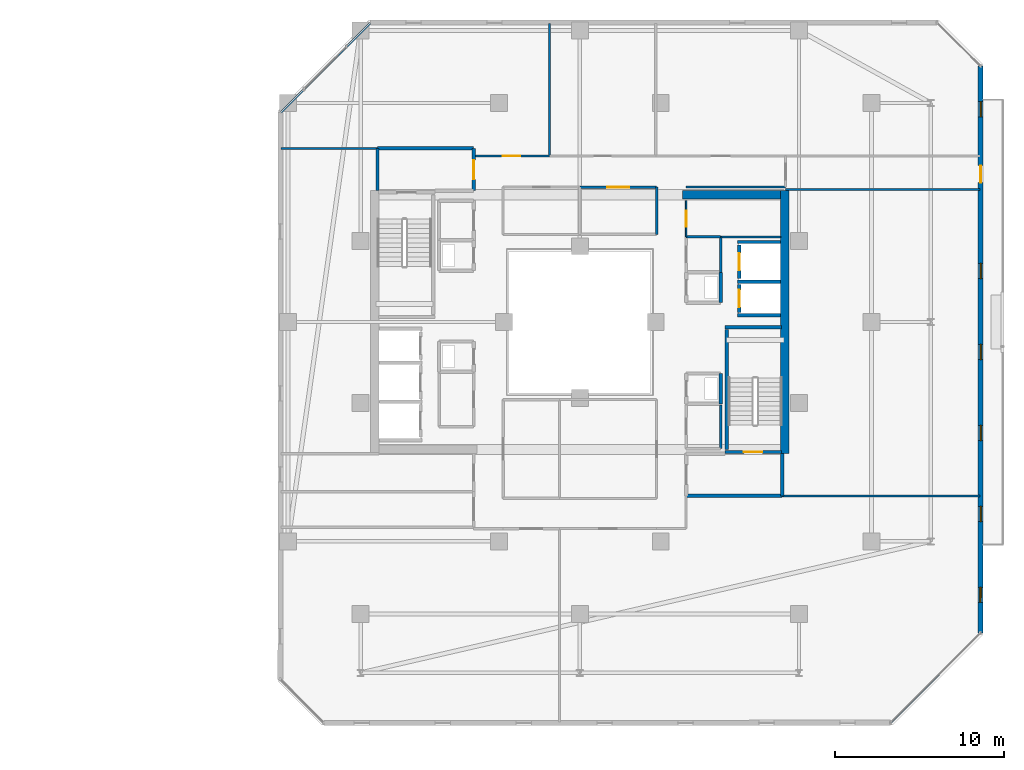
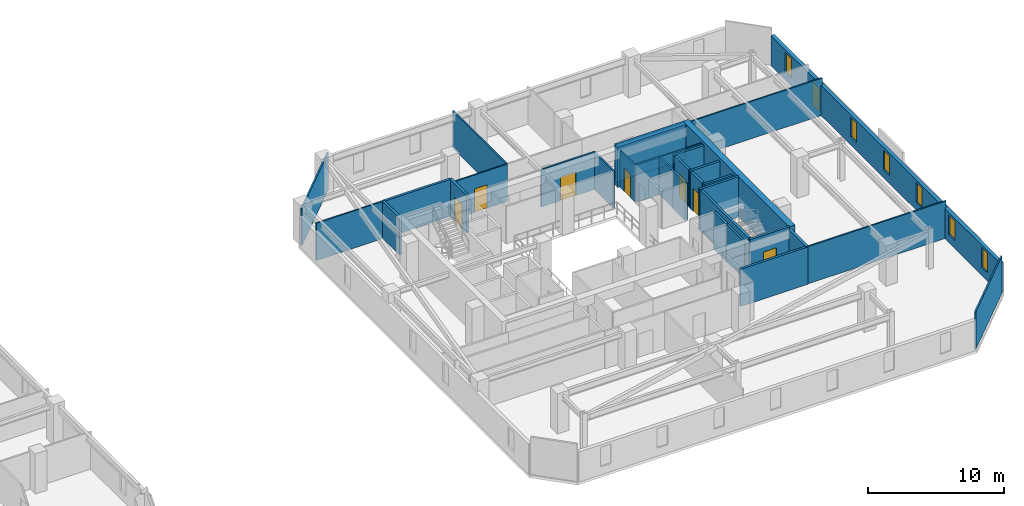
# One storey, part 24 of 32: 33 walls, 8 doors, 6 windows, 14 openings.
"""IFC4 building model written with IfcOpenShell, lengths in metres."""

from ifc_helpers import new_model, si_unit, direction, frame, frame_2d, origin, place, context, subcontext, project, spatial, rectangle, extrude, material, layer, layer_set, type_object, element, fill, save


model = new_model("IFC4")

# Units and contexts
model_context = context("Model", 3, precision=1e-05, world=origin(), true_north=direction((0.0, 1.0)))
body_context = subcontext(model_context, "Body", "Model", "MODEL_VIEW")
ifc_project = project(units=[si_unit("LENGTHUNIT", "METRE"), si_unit("AREAUNIT", "SQUARE_METRE"), si_unit("VOLUMEUNIT", "CUBIC_METRE"), si_unit("PLANEANGLEUNIT", "RADIAN"), si_unit("MASSUNIT", "GRAM", prefix="KILO")], contexts=[model_context])

# Site, building, storey
site_placement = place(None, origin())
site = spatial("IfcSite", under=ifc_project, at=site_placement, CompositionType="ELEMENT")
building_placement = place(site_placement, origin())
building = spatial("IfcBuilding", under=site, at=building_placement, Name="Thornwick Lancets Civic Towers", CompositionType="ELEMENT")
storey_placement = place(building_placement, frame((0.0, 0.0, 240.300048828125)))
storey = spatial("IfcBuildingStorey", under=building, at=storey_placement, Name="L64", CompositionType="ELEMENT", Elevation=240.300048828125)

# Wall, opening, door
ifc_material_1 = material(Name="Concrete blockwork C40/50", Category="masonry")
ifc_layer_1 = layer(ifc_material_1, 0.199951171875, Name="Concrete blockwork C40/50")
ifc_layer_set_1 = layer_set([ifc_layer_1], Name="Concrete blockwork C40/50")
wall_type_1 = type_object("IfcWallType", Name="WALL_COMP_200", PredefinedType="STANDARD", material=ifc_layer_set_1)
wall_1_placement = place(storey_placement, frame((97.949951171875, 29.219970703125, 0.0), z_axis=(0.0, 0.0, 1.0), x_axis=(0.0, -1.0, 0.0)))
wall_1 = element("IfcWall", 1, at=wall_1_placement, inside=storey, type_object=wall_type_1, Name="L64 Hoistway Front Wall FL-B1", PredefinedType="STANDARD", context=body_context, shape_type="SweptSolid", body=[
    extrude(rectangle(XDim=1.639892578125, YDim=0.199951171875, at=frame_2d((0.81982421875, 0.0))), origin(), (0.0, 0.0, 1.0), 3.33984375),
])
opening_1_placement = place(wall_1_placement, frame((0.31005859375, 0.0, 0.0)))
opening_1 = element("IfcOpeningElement", 2, at=opening_1_placement, cuts=wall_1, Name="Opening LD-FL-B1", PredefinedType="OPENING", context=body_context, shape_type="SweptSolid", body=[
    extrude(rectangle(XDim=1.02001953125, YDim=2.06005859375, at=frame_2d((0.510009765625, 1.030029296875))), frame((0.0, 0.10986328125, 0.0), z_axis=(0.0, -1.0, 0.0), x_axis=(1.0, 0.0, 0.0)), (0.0, 0.0, 1.0), 0.219970703125),
])
ifc_material_2 = material(Name="Brushed bronze stainless steel", Category="steel")
door_type_1 = type_object("IfcDoorType", Name="DOOR_LIFT_SLIDE", OperationType="SLIDING_TO_LEFT", PredefinedType="DOOR", material=ifc_material_2)
door_1_placement = place(opening_1_placement, origin())
door_1 = element("IfcDoor", 3, at=door_1_placement, inside=storey, type_object=door_type_1, Name="L64 Sliding Lift Landing Door LD-FL-B1", OperationType="SLIDING_TO_LEFT", OverallHeight=2.06005859375, OverallWidth=1.02001953125, PredefinedType="DOOR", context=body_context, shape_type="SweptSolid", body=[
    extrude(rectangle(XDim=1.02001953125, YDim=2.06005859375, at=frame_2d((0.510009765625, 1.030029296875))), frame((0.0, 0.02490234375, 0.0), z_axis=(0.0, -1.0, 0.0), x_axis=(1.0, 0.0, 0.0)), (0.0, 0.0, 1.0), 0.050048828125),
])
fill(opening_1, door_1)

wall_2_placement = place(storey_placement, frame((97.949951171875, 31.570068359375, 0.0), z_axis=(0.0, 0.0, 1.0), x_axis=(0.0, -1.0, 0.0)))
wall_2 = element("IfcWall", 4, at=wall_2_placement, inside=storey, type_object=wall_type_1, Name="L64 Hoistway Front Wall PL-BH1", PredefinedType="STANDARD", context=body_context, shape_type="SweptSolid", body=[
    extrude(rectangle(XDim=1.989990234375, YDim=0.199951171875, at=frame_2d((0.9951171875, 0.0))), origin(), (0.0, 0.0, 1.0), 3.33984375),
])
opening_2_placement = place(wall_2_placement, frame((0.485107421875, 0.0, 0.0)))
opening_2 = element("IfcOpeningElement", 5, at=opening_2_placement, cuts=wall_2, Name="Opening LD-PL-BH1", PredefinedType="OPENING", context=body_context, shape_type="SweptSolid", body=[
    extrude(rectangle(XDim=1.02001953125, YDim=2.06005859375, at=frame_2d((0.510009765625, 1.030029296875))), frame((0.0, 0.10986328125, 0.0), z_axis=(0.0, -1.0, 0.0), x_axis=(1.0, 0.0, 0.0)), (0.0, 0.0, 1.0), 0.219970703125),
])
door_2_placement = place(opening_2_placement, origin())
door_2 = element("IfcDoor", 6, at=door_2_placement, inside=storey, type_object=door_type_1, Name="L64 Sliding Lift Landing Door LD-PL-BH1", OperationType="SLIDING_TO_LEFT", OverallHeight=2.06005859375, OverallWidth=1.02001953125, PredefinedType="DOOR", context=body_context, shape_type="SweptSolid", body=[
    extrude(rectangle(XDim=1.02001953125, YDim=2.06005859375, at=frame_2d((0.510009765625, 1.030029296875))), frame((0.0, 0.02490234375, 0.0), z_axis=(0.0, -1.0, 0.0), x_axis=(1.0, 0.0, 0.0)), (0.0, 0.0, 1.0), 0.050048828125),
])
fill(opening_2, door_2)

# Walls
for number, where, z_axis, x_axis, name in (
    (7, (97.85205078125, 29.39990234375, 0.0), (0.0, 0.0, 1.0), (1.0, 0.0, 0.0), "L64 Hoistway Shaft Wall FL-B1 N"),
    (8, (97.85205078125, 27.39990234375, 0.0), (0.0, 0.0, 1.0), (1.0, 0.0, 0.0), "L64 Hoistway Shaft Wall FL-B1 S"),
    (9, (97.85205078125, 31.75, 0.0), (0.0, 0.0, 1.0), (1.0, 0.0, 0.0), "L64 Hoistway Shaft Wall PL-BH1 N"),
):
    element("IfcWall", number, at=place(storey_placement, frame(where, z_axis=z_axis, x_axis=x_axis)), inside=storey, type_object=wall_type_1, Name=name, PredefinedType="STANDARD", context=body_context, shape_type="SweptSolid", body=[
        extrude(rectangle(XDim=2.535888671875, YDim=0.199951171875, at=frame_2d((1.26806640625, 0.0))), origin(), (0.0, 0.0, 1.0), 3.33984375),
    ])
wall_3_placement = place(storey_placement, frame((94.800048828125, 16.699951171875, 0.0), z_axis=(0.0, 0.0, 1.0), x_axis=(1.0, 0.0, 0.0)))
element("IfcWall", 10, at=wall_3_placement, inside=storey, type_object=wall_type_1, Name="L64 Partition L64-B-FFLOB1 E1", PredefinedType="STANDARD", context=body_context, shape_type="SweptSolid", body=[
    extrude(rectangle(XDim=5.699951171875, YDim=0.199951171875, at=frame_2d((2.85009765625, 0.0))), origin(), (0.0, 0.0, 1.0), 3.33984375),
])
wall_4_placement = place(storey_placement, frame((100.5, 16.699951171875, 0.0), z_axis=(0.0, 0.0, 1.0), x_axis=(0.0, 1.0, 0.0)))
element("IfcWall", 11, at=wall_4_placement, inside=storey, type_object=wall_type_1, Name="L64 Partition L64-B-FFLOB1 E2", PredefinedType="STANDARD", context=body_context, shape_type="SweptSolid", body=[
    extrude(rectangle(XDim=2.5, YDim=0.199951171875, at=frame_2d((1.25, 0.0))), origin(), (0.0, 0.0, 1.0), 3.33984375),
])

# Wall, opening, door
wall_5_placement = place(storey_placement, frame((82.199951171875, 34.800048828125, 0.0), z_axis=(0.0, 0.0, 1.0), x_axis=(0.0, 1.0, 0.0)))
wall_5 = element("IfcWall", 12, at=wall_5_placement, inside=storey, type_object=wall_type_1, Name="L64 Partition L64-B-FFLOB2 E2", PredefinedType="STANDARD", context=body_context, shape_type="SweptSolid", body=[
    extrude(rectangle(XDim=2.5, YDim=0.199951171875, at=frame_2d((1.25, 0.0))), origin(), (0.0, 0.0, 1.0), 3.33984375),
])
opening_3_placement = place(wall_5_placement, frame((0.659912109375, 0.0, 0.0)))
opening_3 = element("IfcOpeningElement", 13, at=opening_3_placement, cuts=wall_5, Name="Opening D-L64-2885", PredefinedType="OPENING", context=body_context, shape_type="SweptSolid", body=[
    extrude(rectangle(XDim=1.14990234375, YDim=2.10009765625, at=frame_2d((0.574951171875, 1.050048828125))), frame((0.0, 0.10986328125, 0.0), z_axis=(0.0, -1.0, 0.0), x_axis=(1.0, 0.0, 0.0)), (0.0, 0.0, 1.0), 0.219970703125),
])
ifc_material_3 = material(Name="Glazed fire-resisting steel", Category="steel")
door_type_2 = type_object("IfcDoorType", Name="DOOR_LOBBY_FD60", OperationType="NOTDEFINED", PredefinedType="DOOR", material=ifc_material_3)
door_3_placement = place(opening_3_placement, origin())
door_3 = element("IfcDoor", 14, at=door_3_placement, inside=storey, type_object=door_type_2, Name="L64 West Firefighting Lobby 2 Door", OperationType="SINGLE_SWING_RIGHT", OverallHeight=2.10009765625, OverallWidth=1.14990234375, PredefinedType="DOOR", context=body_context, shape_type="SweptSolid", body=[
    extrude(rectangle(XDim=1.14990234375, YDim=2.10009765625, at=frame_2d((0.574951171875, 1.050048828125))), frame((0.0, 0.02490234375, 0.0), z_axis=(0.0, -1.0, 0.0), x_axis=(1.0, 0.0, 0.0)), (0.0, 0.0, 1.0), 0.050048828125),
])
fill(opening_3, door_3)

# Walls
wall_6_placement = place(storey_placement, frame((82.199951171875, 37.300048828125, 0.0), z_axis=(0.0, 0.0, 1.0), x_axis=(-1.0, 0.0, 0.0)))
element("IfcWall", 15, at=wall_6_placement, inside=storey, type_object=wall_type_1, Name="L64 Partition L64-B-FFLOB2 E3", PredefinedType="STANDARD", context=body_context, shape_type="SweptSolid", body=[
    extrude(rectangle(XDim=5.699951171875, YDim=0.199951171875, at=frame_2d((2.85009765625, 0.0))), origin(), (0.0, 0.0, 1.0), 3.33984375),
])
wall_7_placement = place(storey_placement, frame((76.5, 37.300048828125, 0.0), z_axis=(0.0, 0.0, 1.0), x_axis=(0.0, -1.0, 0.0)))
element("IfcWall", 16, at=wall_7_placement, inside=storey, type_object=wall_type_1, Name="L64 Partition L64-B-FFLOB2 E4", PredefinedType="STANDARD", context=body_context, shape_type="SweptSolid", body=[
    extrude(rectangle(XDim=2.5, YDim=0.199951171875, at=frame_2d((1.25, 0.0))), origin(), (0.0, 0.0, 1.0), 3.33984375),
])
for number, where, z_axis, x_axis, name in (
    (17, (96.85009765625, 28.14990234375, 0.0), (0.0, 0.0, 1.0), (0.0, 1.0, 0.0), "L64 Partition L64-B-DUCT1 E2"),
    (18, (96.85009765625, 22.14990234375, 0.0), (0.0, 0.0, 1.0), (0.0, 1.0, 0.0), "L64 Partition L64-B-RISER1 E2"),
):
    element("IfcWall", number, at=place(storey_placement, frame(where, z_axis=z_axis, x_axis=x_axis)), inside=storey, type_object=wall_type_1, Name=name, PredefinedType="STANDARD", context=body_context, shape_type="SweptSolid", body=[
        extrude(rectangle(XDim=1.800048828125, YDim=0.199951171875, at=frame_2d((0.89990234375, 0.0))), origin(), (0.0, 0.0, 1.0), 3.33984375),
    ])
ifc_material_4 = material(Name="Concrete C50/60", Category="concrete")
ifc_layer_2 = layer(ifc_material_4, 0.5, Name="Concrete C50/60")
ifc_layer_set_2 = layer_set([ifc_layer_2], Name="Concrete C50/60")
wall_type_2 = type_object("IfcWallType", Name="WALL_CORE_500", PredefinedType="SHEAR", material=ifc_layer_set_2)
wall_8_placement = place(storey_placement, frame((100.64990234375, 19.199951171875, 0.0), z_axis=(0.0, 0.0, 1.0), x_axis=(0.0, 1.0, 0.0)))
element("IfcWall", 19, at=wall_8_placement, inside=storey, type_object=wall_type_2, Name="L64 Split Core B1 Shear Wall E", PredefinedType="SHEAR", context=body_context, shape_type="SweptSolid", body=[
    extrude(rectangle(XDim=15.60009765625, YDim=0.5, at=frame_2d((7.800048828125, 0.0))), origin(), (0.0, 0.0, 1.0), 3.599853515625),
])
wall_9_placement = place(storey_placement, frame((94.60009765625, 34.550048828125, 0.0), z_axis=(0.0, 0.0, 1.0), x_axis=(1.0, 0.0, 0.0)))
element("IfcWall", 20, at=wall_9_placement, inside=storey, type_object=wall_type_2, Name="L64 Split Core B1 Shear Wall N", PredefinedType="SHEAR", context=body_context, shape_type="SweptSolid", body=[
    extrude(rectangle(XDim=5.7998046875, YDim=0.5, at=frame_2d((2.89990234375, 0.0))), origin(), (0.0, 0.0, 1.0), 3.599853515625),
])

# Wall, openings, door, windows
ifc_material_5 = material(Name="Insulated russet terracotta rainscreen on concrete C40/50", Category="masonry")
ifc_layer_3 = layer(ifc_material_5, 0.300048828125, Name="Insulated russet terracotta rainscreen on concrete C40/50")
ifc_layer_set_3 = layer_set([ifc_layer_3], Name="Insulated russet terracotta rainscreen on concrete C40/50")
wall_type_3 = type_object("IfcWallType", Name="WALL_EXT_RUSSET_300", PredefinedType="STANDARD", material=ifc_layer_set_3)
wall_10_placement = place(storey_placement, frame((112.255615234375, 8.576416015625, 0.0), z_axis=(0.0, 0.0, 1.0), x_axis=(0.000268805477, 0.999999963872, 0.0)))
wall_10 = element("IfcWall", 21, at=wall_10_placement, inside=storey, type_object=wall_type_3, Name="L64 Tower B Terracotta Facade Wall E2", PredefinedType="STANDARD", context=body_context, shape_type="SweptSolid", body=[
    extrude(rectangle(XDim=33.60498046875, YDim=0.300048828125, at=frame_2d((16.802490234375, 0.0))), origin(), (0.0, 0.0, 1.0), 2.699951171875),
])
opening_4_placement = place(wall_10_placement, frame((26.702392578125, 0.0, 0.0)))
opening_4 = element("IfcOpeningElement", 22, at=opening_4_placement, cuts=wall_10, Name="Opening D-BL-L64-BE", PredefinedType="OPENING", context=body_context, shape_type="SweptSolid", body=[
    extrude(rectangle(XDim=1.0, YDim=2.080078125, at=frame_2d((0.5, 1.0400390625))), frame((0.0, 0.16015625, 0.0), z_axis=(0.0, -1.0, 0.0), x_axis=(1.0, 0.0, 0.0)), (0.0, 0.0, 1.0), 0.320068359375),
])
opening_5_placement = place(wall_10_placement, frame((1.800048828125, 0.0, 0.719970703125)))
opening_5 = element("IfcOpeningElement", 23, at=opening_5_placement, cuts=wall_10, Name="Opening WL-01", PredefinedType="OPENING", context=body_context, shape_type="SweptSolid", body=[
    extrude(rectangle(XDim=0.89990234375, YDim=1.75, at=frame_2d((0.449951171875, 0.875))), frame((0.0, 0.16015625, 0.0), z_axis=(0.0, -1.0, 0.0), x_axis=(1.0, 0.0, 0.0)), (0.0, 0.0, 1.0), 0.320068359375),
])
opening_6_placement = place(wall_10_placement, frame((6.60009765625, 0.0, 0.719970703125)))
opening_6 = element("IfcOpeningElement", 24, at=opening_6_placement, cuts=wall_10, Name="Opening WL-01", PredefinedType="OPENING", context=body_context, shape_type="SweptSolid", body=[
    extrude(rectangle(XDim=0.89990234375, YDim=1.75, at=frame_2d((0.449951171875, 0.875))), frame((0.0, 0.16015625, 0.0), z_axis=(0.0, -1.0, 0.0), x_axis=(1.0, 0.0, 0.0)), (0.0, 0.0, 1.0), 0.320068359375),
])
opening_7_placement = place(wall_10_placement, frame((11.39990234375, 0.0, 0.719970703125)))
opening_7 = element("IfcOpeningElement", 25, at=opening_7_placement, cuts=wall_10, Name="Opening WL-01", PredefinedType="OPENING", context=body_context, shape_type="SweptSolid", body=[
    extrude(rectangle(XDim=0.89990234375, YDim=1.75, at=frame_2d((0.449951171875, 0.875))), frame((0.0, 0.16015625, 0.0), z_axis=(0.0, -1.0, 0.0), x_axis=(1.0, 0.0, 0.0)), (0.0, 0.0, 1.0), 0.320068359375),
])
opening_8_placement = place(wall_10_placement, frame((16.199951171875, 0.0, 0.719970703125)))
opening_8 = element("IfcOpeningElement", 26, at=opening_8_placement, cuts=wall_10, Name="Opening WL-01", PredefinedType="OPENING", context=body_context, shape_type="SweptSolid", body=[
    extrude(rectangle(XDim=0.89990234375, YDim=1.75, at=frame_2d((0.449951171875, 0.875))), frame((0.0, 0.16015625, 0.0), z_axis=(0.0, -1.0, 0.0), x_axis=(1.0, 0.0, 0.0)), (0.0, 0.0, 1.0), 0.320068359375),
])
opening_9_placement = place(wall_10_placement, frame((21.0, 0.0, 0.719970703125)))
opening_9 = element("IfcOpeningElement", 27, at=opening_9_placement, cuts=wall_10, Name="Opening WL-01", PredefinedType="OPENING", context=body_context, shape_type="SweptSolid", body=[
    extrude(rectangle(XDim=0.89990234375, YDim=1.75, at=frame_2d((0.449951171875, 0.875))), frame((0.0, 0.16015625, 0.0), z_axis=(0.0, -1.0, 0.0), x_axis=(1.0, 0.0, 0.0)), (0.0, 0.0, 1.0), 0.320068359375),
])
opening_10_placement = place(wall_10_placement, frame((30.60009765625, 0.0, 0.719970703125)))
opening_10 = element("IfcOpeningElement", 28, at=opening_10_placement, cuts=wall_10, Name="Opening WL-01", PredefinedType="OPENING", context=body_context, shape_type="SweptSolid", body=[
    extrude(rectangle(XDim=0.89990234375, YDim=1.75, at=frame_2d((0.449951171875, 0.875))), frame((0.0, 0.16015625, 0.0), z_axis=(0.0, -1.0, 0.0), x_axis=(1.0, 0.0, 0.0)), (0.0, 0.0, 1.0), 0.320068359375),
])
ifc_material_6 = material(Name="Thermally broken glazed loggia doorset")
door_type_3 = type_object("IfcDoorType", Name="DOOR_BALC_1000", OperationType="NOTDEFINED", PredefinedType="DOOR", material=ifc_material_6)
door_4_placement = place(opening_4_placement, origin())
door_4 = element("IfcDoor", 29, at=door_4_placement, inside=storey, type_object=door_type_3, Name="L64 Tower B Loggia Balcony Door E", OperationType="SINGLE_SWING_LEFT", OverallHeight=2.080078125, OverallWidth=1.0, PredefinedType="DOOR", context=body_context, shape_type="SweptSolid", body=[
    extrude(rectangle(XDim=1.0, YDim=2.080078125, at=frame_2d((0.5, 1.0400390625))), frame((0.0, 0.02490234375, 0.0), z_axis=(0.0, -1.0, 0.0), x_axis=(1.0, 0.0, 0.0)), (0.0, 0.0, 1.0), 0.050048828125),
])
fill(opening_4, door_4)
ifc_material_7 = material(Name="Clear low-e double glazing in bronze frame", Category="glass")
window_type = type_object("IfcWindowType", Name="WIN_LANCET_900", PartitioningType="SINGLE_PANEL", PredefinedType="WINDOW", material=ifc_material_7)
window_1_placement = place(opening_5_placement, origin())
window_1 = element("IfcWindow", 30, at=window_1_placement, inside=storey, type_object=window_type, Name="L64 Tower B Staggered Lancet Window E2-1", OverallHeight=1.75, OverallWidth=0.89990234375, PartitioningType="SINGLE_PANEL", PredefinedType="WINDOW", context=body_context, shape_type="SweptSolid", body=[
    extrude(rectangle(XDim=0.89990234375, YDim=1.75, at=frame_2d((0.449951171875, 0.875))), frame((0.0, 0.030029296875, 0.0), z_axis=(0.0, -1.0, 0.0), x_axis=(1.0, 0.0, 0.0)), (0.0, 0.0, 1.0), 0.06005859375),
])
fill(opening_5, window_1)
window_2_placement = place(opening_6_placement, origin())
window_2 = element("IfcWindow", 31, at=window_2_placement, inside=storey, type_object=window_type, Name="L64 Tower B Staggered Lancet Window E2-2", OverallHeight=1.75, OverallWidth=0.89990234375, PartitioningType="SINGLE_PANEL", PredefinedType="WINDOW", context=body_context, shape_type="SweptSolid", body=[
    extrude(rectangle(XDim=0.89990234375, YDim=1.75, at=frame_2d((0.449951171875, 0.875))), frame((0.0, 0.030029296875, 0.0), z_axis=(0.0, -1.0, 0.0), x_axis=(1.0, 0.0, 0.0)), (0.0, 0.0, 1.0), 0.06005859375),
])
fill(opening_6, window_2)
window_3_placement = place(opening_7_placement, origin())
window_3 = element("IfcWindow", 32, at=window_3_placement, inside=storey, type_object=window_type, Name="L64 Tower B Staggered Lancet Window E2-3", OverallHeight=1.75, OverallWidth=0.89990234375, PartitioningType="SINGLE_PANEL", PredefinedType="WINDOW", context=body_context, shape_type="SweptSolid", body=[
    extrude(rectangle(XDim=0.89990234375, YDim=1.75, at=frame_2d((0.449951171875, 0.875))), frame((0.0, 0.030029296875, 0.0), z_axis=(0.0, -1.0, 0.0), x_axis=(1.0, 0.0, 0.0)), (0.0, 0.0, 1.0), 0.06005859375),
])
fill(opening_7, window_3)
window_4_placement = place(opening_8_placement, origin())
window_4 = element("IfcWindow", 33, at=window_4_placement, inside=storey, type_object=window_type, Name="L64 Tower B Staggered Lancet Window E2-4", OverallHeight=1.75, OverallWidth=0.89990234375, PartitioningType="SINGLE_PANEL", PredefinedType="WINDOW", context=body_context, shape_type="SweptSolid", body=[
    extrude(rectangle(XDim=0.89990234375, YDim=1.75, at=frame_2d((0.449951171875, 0.875))), frame((0.0, 0.030029296875, 0.0), z_axis=(0.0, -1.0, 0.0), x_axis=(1.0, 0.0, 0.0)), (0.0, 0.0, 1.0), 0.06005859375),
])
fill(opening_8, window_4)
window_5_placement = place(opening_9_placement, origin())
window_5 = element("IfcWindow", 34, at=window_5_placement, inside=storey, type_object=window_type, Name="L64 Tower B Staggered Lancet Window E2-5", OverallHeight=1.75, OverallWidth=0.89990234375, PartitioningType="SINGLE_PANEL", PredefinedType="WINDOW", context=body_context, shape_type="SweptSolid", body=[
    extrude(rectangle(XDim=0.89990234375, YDim=1.75, at=frame_2d((0.449951171875, 0.875))), frame((0.0, 0.030029296875, 0.0), z_axis=(0.0, -1.0, 0.0), x_axis=(1.0, 0.0, 0.0)), (0.0, 0.0, 1.0), 0.06005859375),
])
fill(opening_9, window_5)
window_6_placement = place(opening_10_placement, origin())
window_6 = element("IfcWindow", 35, at=window_6_placement, inside=storey, type_object=window_type, Name="L64 Tower B Staggered Lancet Window E2-6", OverallHeight=1.75, OverallWidth=0.89990234375, PartitioningType="SINGLE_PANEL", PredefinedType="WINDOW", context=body_context, shape_type="SweptSolid", body=[
    extrude(rectangle(XDim=0.89990234375, YDim=1.75, at=frame_2d((0.449951171875, 0.875))), frame((0.0, 0.030029296875, 0.0), z_axis=(0.0, -1.0, 0.0), x_axis=(1.0, 0.0, 0.0)), (0.0, 0.0, 1.0), 0.06005859375),
])
fill(opening_10, window_6)

# Wall, opening, door
ifc_material_8 = material(Name="Lightweight cellular office partition")
ifc_layer_4 = layer(ifc_material_8, 0.10009765625, Name="Lightweight cellular office partition")
ifc_layer_set_4 = layer_set([ifc_layer_4], Name="Lightweight cellular office partition")
wall_type_4 = type_object("IfcWallType", Name="WALL_PART_100", PredefinedType="PARTITIONING", material=ifc_layer_set_4)
wall_11_placement = place(storey_placement, frame((94.800048828125, 32.050048828125, 0.0), z_axis=(0.0, 0.0, 1.0), x_axis=(0.0, 1.0, 0.0)))
wall_11 = element("IfcWall", 36, at=wall_11_placement, inside=storey, type_object=wall_type_4, Name="L64 Partition L64-B-CLN E1", PredefinedType="PARTITIONING", context=body_context, shape_type="SweptSolid", body=[
    extrude(rectangle(XDim=2.14990234375, YDim=0.10009765625, at=frame_2d((1.074951171875, 0.0))), origin(), (0.0, 0.0, 1.0), 3.33984375),
])
opening_11_placement = place(wall_11_placement, frame((0.60009765625, 0.0, 0.0)))
opening_11 = element("IfcOpeningElement", 37, at=opening_11_placement, cuts=wall_11, Name="Opening D-L64-2892", PredefinedType="OPENING", context=body_context, shape_type="SweptSolid", body=[
    extrude(rectangle(XDim=0.949951171875, YDim=2.10009765625, at=frame_2d((0.47509765625, 1.050048828125))), frame((0.0, 0.06005859375, 0.0), z_axis=(0.0, -1.0, 0.0), x_axis=(1.0, 0.0, 0.0)), (0.0, 0.0, 1.0), 0.1201171875),
])
ifc_material_9 = material(Name="European oak acoustic doorset")
door_type_4 = type_object("IfcDoorType", Name="DOOR_OFFICE_950", OperationType="NOTDEFINED", PredefinedType="DOOR", material=ifc_material_9)
door_5_placement = place(opening_11_placement, origin())
door_5 = element("IfcDoor", 38, at=door_5_placement, inside=storey, type_object=door_type_4, Name="L64 Tower B Cleaners Store Door", OperationType="SINGLE_SWING_LEFT", OverallHeight=2.10009765625, OverallWidth=0.949951171875, PredefinedType="DOOR", context=body_context, shape_type="SweptSolid", body=[
    extrude(rectangle(XDim=0.949951171875, YDim=2.10009765625, at=frame_2d((0.47509765625, 1.050048828125))), frame((0.0, 0.02490234375, 0.0), z_axis=(0.0, -1.0, 0.0), x_axis=(1.0, 0.0, 0.0)), (0.0, 0.0, 1.0), 0.050048828125),
])
fill(opening_11, door_5)

# Walls
wall_12_placement = place(storey_placement, frame((100.39990234375, 32.050048828125, 0.0), z_axis=(0.0, 0.0, 1.0), x_axis=(-1.0, 0.0, 0.0)))
element("IfcWall", 39, at=wall_12_placement, inside=storey, type_object=wall_type_4, Name="L64 Partition L64-B-CLN E4", PredefinedType="PARTITIONING", context=body_context, shape_type="SweptSolid", body=[
    extrude(rectangle(XDim=3.5498046875, YDim=0.10009765625, at=frame_2d((1.77490234375, 0.0))), origin(), (0.0, 0.0, 1.0), 3.33984375),
])
ifc_material_10 = material(Name="Acoustic gypsum board partition")
ifc_layer_5 = layer(ifc_material_10, 0.1201171875, Name="Acoustic gypsum board partition")
ifc_layer_set_5 = layer_set([ifc_layer_5], Name="Acoustic gypsum board partition")
wall_type_5 = type_object("IfcWallType", Name="WALL_PART_120", PredefinedType="PARTITIONING", material=ifc_layer_set_5)
wall_13_placement = place(storey_placement, frame((94.800048828125, 35.0, 0.0), z_axis=(0.0, 0.0, 1.0), x_axis=(1.0, 0.0, 0.0)))
element("IfcWall", 40, at=wall_13_placement, inside=storey, type_object=wall_type_5, Name="L64 Partition L64-B-RECLAIM-L E2", PredefinedType="PARTITIONING", context=body_context, shape_type="SweptSolid", body=[
    extrude(rectangle(XDim=5.89990234375, YDim=0.1201171875, at=frame_2d((2.949951171875, 0.0))), origin(), (0.0, 0.0, 1.0), 3.33984375),
])
wall_14_placement = place(storey_placement, frame((112.219970703125, 34.85009765625, 0.0), z_axis=(0.0, 0.0, 1.0), x_axis=(-1.0, 0.0, 0.0)))
element("IfcWall", 41, at=wall_14_placement, inside=storey, type_object=wall_type_5, Name="L64 Partition L64-B-RECLAIM-L E6", PredefinedType="PARTITIONING", context=body_context, shape_type="SweptSolid", body=[
    extrude(rectangle(XDim=11.52001953125, YDim=0.1201171875, at=frame_2d((5.760009765625, 0.0))), origin(), (0.0, 0.0, 1.0), 3.33984375),
])
wall_15_placement = place(storey_placement, frame((100.5, 16.699951171875, 0.0), z_axis=(0.0, 0.0, 1.0), x_axis=(1.0, 0.0, 0.0)))
element("IfcWall", 42, at=wall_15_placement, inside=storey, type_object=wall_type_5, Name="L64 Partition L64-B-W1 E7", PredefinedType="PARTITIONING", context=body_context, shape_type="SweptSolid", body=[
    extrude(rectangle(XDim=11.719970703125, YDim=0.1201171875, at=frame_2d((5.85986328125, 0.0))), origin(), (0.0, 0.0, 1.0), 3.33984375),
])
wall_16_placement = place(storey_placement, frame((112.219970703125, 8.543701171875, 0.0), z_axis=(0.0, 0.0, 1.0), x_axis=(-0.707106781187, -0.707106781187, 0.0)))
element("IfcWall", 43, at=wall_16_placement, inside=storey, type_object=wall_type_5, Name="L64 Partition L64-B-W1 E9", PredefinedType="PARTITIONING", context=body_context, shape_type="SweptSolid", body=[
    extrude(rectangle(XDim=7.44384765625, YDim=0.1201171875, at=frame_2d((3.721923828125, 0.0))), origin(), (0.0, 0.0, 1.0), 3.33984375),
])
wall_17_placement = place(storey_placement, frame((86.699951171875, 36.85009765625, 0.0), z_axis=(0.0, 0.0, 1.0), x_axis=(0.0, 1.0, 0.0)))
element("IfcWall", 44, at=wall_17_placement, inside=storey, type_object=wall_type_5, Name="L64 Partition L64-B-E2 E1", PredefinedType="PARTITIONING", context=body_context, shape_type="SweptSolid", body=[
    extrude(rectangle(XDim=7.869873046875, YDim=0.1201171875, at=frame_2d((3.93505859375, 0.0))), origin(), (0.0, 0.0, 1.0), 3.33984375),
])
wall_18_placement = place(storey_placement, frame((76.5, 37.300048828125, 0.0), z_axis=(0.0, 0.0, 1.0), x_axis=(-1.0, 0.0, 0.0)))
element("IfcWall", 45, at=wall_18_placement, inside=storey, type_object=wall_type_5, Name="L64 Partition L64-B-E3 E3", PredefinedType="PARTITIONING", context=body_context, shape_type="SweptSolid", body=[
    extrude(rectangle(XDim=5.719970703125, YDim=0.1201171875, at=frame_2d((2.85986328125, 0.0))), origin(), (0.0, 0.0, 1.0), 3.33984375),
])
wall_19_placement = place(storey_placement, frame((70.780029296875, 39.456298828125, 0.0), z_axis=(0.0, 0.0, 1.0), x_axis=(0.707106781187, 0.707106781187, 0.0)))
element("IfcWall", 46, at=wall_19_placement, inside=storey, type_object=wall_type_5, Name="L64 Partition L64-B-E3 E5", PredefinedType="PARTITIONING", context=body_context, shape_type="SweptSolid", body=[
    extrude(rectangle(XDim=7.44384765625, YDim=0.1201171875, at=frame_2d((3.721923828125, 0.0))), origin(), (0.0, 0.0, 1.0), 3.33984375),
])

# Wall, opening, door
wall_20_placement = place(storey_placement, frame((86.699951171875, 36.85009765625, 0.0), z_axis=(0.0, 0.0, 1.0), x_axis=(-1.0, 0.0, 0.0)))
wall_20 = element("IfcWall", 47, at=wall_20_placement, inside=storey, type_object=wall_type_5, Name="L64 Partition L64-B-E3 E8", PredefinedType="PARTITIONING", context=body_context, shape_type="SweptSolid", body=[
    extrude(rectangle(XDim=4.5, YDim=0.1201171875, at=frame_2d((2.25, 0.0))), origin(), (0.0, 0.0, 1.0), 3.33984375),
])
opening_12_placement = place(wall_20_placement, frame((1.72509765625, 0.0, 0.0)))
opening_12 = element("IfcOpeningElement", 48, at=opening_12_placement, cuts=wall_20, Name="Opening D-L64-2916", PredefinedType="OPENING", context=body_context, shape_type="SweptSolid", body=[
    extrude(rectangle(XDim=1.050048828125, YDim=2.10009765625, at=frame_2d((0.52490234375, 1.050048828125))), frame((0.0, 0.070068359375, 0.0), z_axis=(0.0, -1.0, 0.0), x_axis=(1.0, 0.0, 0.0)), (0.0, 0.0, 1.0), 0.14013671875),
])
ifc_material_11 = material(Name="Glazed European oak executive doorset")
door_type_5 = type_object("IfcDoorType", Name="DOOR_OFFICE_1050", OperationType="NOTDEFINED", PredefinedType="DOOR", material=ifc_material_11)
door_6_placement = place(opening_12_placement, origin())
door_6 = element("IfcDoor", 49, at=door_6_placement, inside=storey, type_object=door_type_5, Name="L64 Tower B Civic Seminar Room Door", OperationType="SINGLE_SWING_LEFT", OverallHeight=2.10009765625, OverallWidth=1.050048828125, PredefinedType="DOOR", context=body_context, shape_type="SweptSolid", body=[
    extrude(rectangle(XDim=1.050048828125, YDim=2.10009765625, at=frame_2d((0.52490234375, 1.050048828125))), frame((0.0, 0.02490234375, 0.0), z_axis=(0.0, -1.0, 0.0), x_axis=(1.0, 0.0, 0.0)), (0.0, 0.0, 1.0), 0.050048828125),
])
fill(opening_12, door_6)

# Walls
ifc_material_12 = material(Name="Twin-stud acoustic gypsum board")
ifc_layer_6 = layer(ifc_material_12, 0.14990234375, Name="Twin-stud acoustic gypsum board")
ifc_layer_set_6 = layer_set([ifc_layer_6], Name="Twin-stud acoustic gypsum board")
wall_type_6 = type_object("IfcWallType", Name="WALL_PART_150", PredefinedType="PARTITIONING", material=ifc_layer_set_6)
wall_21_placement = place(storey_placement, frame((96.85009765625, 19.5, 0.0), z_axis=(0.0, 0.0, 1.0), x_axis=(0.0, 1.0, 0.0)))
element("IfcWall", 50, at=wall_21_placement, inside=storey, type_object=wall_type_6, Name="L64 Partition L64-B-AWC E2", PredefinedType="PARTITIONING", context=body_context, shape_type="SweptSolid", body=[
    extrude(rectangle(XDim=2.60009765625, YDim=0.14990234375, at=frame_2d((1.300048828125, 0.0))), origin(), (0.0, 0.0, 1.0), 3.33984375),
])
wall_22_placement = place(storey_placement, frame((94.800048828125, 32.050048828125, 0.0), z_axis=(0.0, 0.0, 1.0), x_axis=(1.0, 0.0, 0.0)))
element("IfcWall", 51, at=wall_22_placement, inside=storey, type_object=wall_type_6, Name="L64 Partition L64-B-MWC E2", PredefinedType="PARTITIONING", context=body_context, shape_type="SweptSolid", body=[
    extrude(rectangle(XDim=2.050048828125, YDim=0.14990234375, at=frame_2d((1.02490234375, 0.0))), origin(), (0.0, 0.0, 1.0), 3.33984375),
])
wall_23_placement = place(storey_placement, frame((96.85009765625, 32.050048828125, 0.0), z_axis=(0.0, 0.0, 1.0), x_axis=(0.0, -1.0, 0.0)))
element("IfcWall", 52, at=wall_23_placement, inside=storey, type_object=wall_type_6, Name="L64 Partition L64-B-MWC E3", PredefinedType="PARTITIONING", context=body_context, shape_type="SweptSolid", body=[
    extrude(rectangle(XDim=2.10009765625, YDim=0.14990234375, at=frame_2d((1.050048828125, 0.0))), origin(), (0.0, 0.0, 1.0), 3.33984375),
])

# Wall, opening, door
wall_24_placement = place(storey_placement, frame((88.5, 35.0, 0.0), z_axis=(0.0, 0.0, 1.0), x_axis=(1.0, 0.0, 0.0)))
wall_24 = element("IfcWall", 53, at=wall_24_placement, inside=storey, type_object=wall_type_6, Name="L64 Partition L64-B-E-ATR-1 E2", PredefinedType="PARTITIONING", context=body_context, shape_type="SweptSolid", body=[
    extrude(rectangle(XDim=4.550048828125, YDim=0.14990234375, at=frame_2d((2.27490234375, 0.0))), origin(), (0.0, 0.0, 1.0), 3.33984375),
])
opening_13_placement = place(wall_24_placement, frame((1.625, 0.0, 0.0)))
opening_13 = element("IfcOpeningElement", 54, at=opening_13_placement, cuts=wall_24, Name="Opening D-L64-2917", PredefinedType="OPENING", context=body_context, shape_type="SweptSolid", body=[
    extrude(rectangle(XDim=1.300048828125, YDim=2.1201171875, at=frame_2d((0.64990234375, 1.06005859375))), frame((0.0, 0.0849609375, 0.0), z_axis=(0.0, -1.0, 0.0), x_axis=(1.0, 0.0, 0.0)), (0.0, 0.0, 1.0), 0.169921875),
])
ifc_material_13 = material(Name="Acoustic oak leaf-and-a-half doorset")
door_type_6 = type_object("IfcDoorType", Name="DOOR_MEET_1300", OperationType="DOUBLE_DOOR_SINGLE_SWING", PredefinedType="DOOR", material=ifc_material_13)
door_7_placement = place(opening_13_placement, origin())
door_7 = element("IfcDoor", 55, at=door_7_placement, inside=storey, type_object=door_type_6, Name="L64 Tower B Atrium Briefing Room Door", OperationType="DOUBLE_DOOR_SINGLE_SWING", OverallHeight=2.1201171875, OverallWidth=1.300048828125, PredefinedType="DOOR", context=body_context, shape_type="SweptSolid", body=[
    extrude(rectangle(XDim=1.300048828125, YDim=2.1201171875, at=frame_2d((0.64990234375, 1.06005859375))), frame((0.0, 0.02490234375, 0.0), z_axis=(0.0, -1.0, 0.0), x_axis=(1.0, 0.0, 0.0)), (0.0, 0.0, 1.0), 0.050048828125),
])
fill(opening_13, door_7)

# Wall
wall_25_placement = place(storey_placement, frame((93.050048828125, 35.0, 0.0), z_axis=(0.0, 0.0, 1.0), x_axis=(0.0, -1.0, 0.0)))
element("IfcWall", 56, at=wall_25_placement, inside=storey, type_object=wall_type_6, Name="L64 Partition L64-B-E-ATR-1 E3", PredefinedType="PARTITIONING", context=body_context, shape_type="SweptSolid", body=[
    extrude(rectangle(XDim=2.800048828125, YDim=0.14990234375, at=frame_2d((1.39990234375, 0.0))), origin(), (0.0, 0.0, 1.0), 3.33984375),
])

# Wall, opening, door
ifc_material_14 = material(Name="Concrete C40/50", Category="concrete")
ifc_layer_7 = layer(ifc_material_14, 0.199951171875, Name="Concrete C40/50")
ifc_layer_set_7 = layer_set([ifc_layer_7], Name="Concrete C40/50")
wall_type_7 = type_object("IfcWallType", Name="WALL_SHAFT_200", PredefinedType="SHEAR", material=ifc_layer_set_7)
wall_26_placement = place(storey_placement, frame((100.449951171875, 19.300048828125, 0.0), z_axis=(0.0, 0.0, 1.0), x_axis=(-1.0, 0.0, 0.0)))
wall_26 = element("IfcWall", 57, at=wall_26_placement, inside=storey, type_object=wall_type_7, Name="L64 ST-B1 Fire Stair Core Wall NEAR", PredefinedType="SHEAR", context=body_context, shape_type="SweptSolid", body=[
    extrude(rectangle(XDim=3.349853515625, YDim=0.199951171875, at=frame_2d((1.6748046875, 0.0))), origin(), (0.0, 0.0, 1.0), 3.599853515625),
])
opening_14_placement = place(wall_26_placement, frame((1.125, 0.0, 0.0)))
opening_14 = element("IfcOpeningElement", 58, at=opening_14_placement, cuts=wall_26, Name="Opening D-ST-B1-L64", PredefinedType="OPENING", context=body_context, shape_type="SweptSolid", body=[
    extrude(rectangle(XDim=1.10009765625, YDim=2.10009765625, at=frame_2d((0.550048828125, 1.050048828125))), frame((0.0, 0.10986328125, 0.0), z_axis=(0.0, -1.0, 0.0), x_axis=(1.0, 0.0, 0.0)), (0.0, 0.0, 1.0), 0.219970703125),
])
ifc_material_15 = material(Name="Fire-resisting steel and hardwood", Category="steel")
door_type_7 = type_object("IfcDoorType", Name="DOOR_STAIR_FD60", OperationType="NOTDEFINED", PredefinedType="DOOR", material=ifc_material_15)
door_8_placement = place(opening_14_placement, origin())
door_8 = element("IfcDoor", 59, at=door_8_placement, inside=storey, type_object=door_type_7, Name="L64 ST-B1 Exit Stair Door", OperationType="SINGLE_SWING_RIGHT", OverallHeight=2.10009765625, OverallWidth=1.10009765625, PredefinedType="DOOR", context=body_context, shape_type="SweptSolid", body=[
    extrude(rectangle(XDim=1.10009765625, YDim=2.10009765625, at=frame_2d((0.550048828125, 1.050048828125))), frame((0.0, 0.02490234375, 0.0), z_axis=(0.0, -1.0, 0.0), x_axis=(1.0, 0.0, 0.0)), (0.0, 0.0, 1.0), 0.050048828125),
])
fill(opening_14, door_8)

# Walls
wall_27_placement = place(storey_placement, frame((97.10009765625, 26.699951171875, 0.0), z_axis=(0.0, 0.0, 1.0), x_axis=(1.0, 0.0, 0.0)))
element("IfcWall", 60, at=wall_27_placement, inside=storey, type_object=wall_type_7, Name="L64 ST-B1 Fire Stair Core Wall FAR", PredefinedType="SHEAR", context=body_context, shape_type="SweptSolid", body=[
    extrude(rectangle(XDim=3.349853515625, YDim=0.199951171875, at=frame_2d((1.6748046875, 0.0))), origin(), (0.0, 0.0, 1.0), 3.599853515625),
])
wall_28_placement = place(storey_placement, frame((97.202880859375, 26.550048828125, 0.0), z_axis=(0.0, 0.0, 1.0), x_axis=(0.0, -1.0, 0.0)))
element("IfcWall", 61, at=wall_28_placement, inside=storey, type_object=wall_type_7, Name="L64 ST-B1 Fire Stair Core Wall RIGHT", PredefinedType="SHEAR", context=body_context, shape_type="SweptSolid", body=[
    extrude(rectangle(XDim=7.10009765625, YDim=0.199951171875, at=frame_2d((3.550048828125, 0.0))), origin(), (0.0, 0.0, 1.0), 3.599853515625),
])

save(model, "model.ifc")
